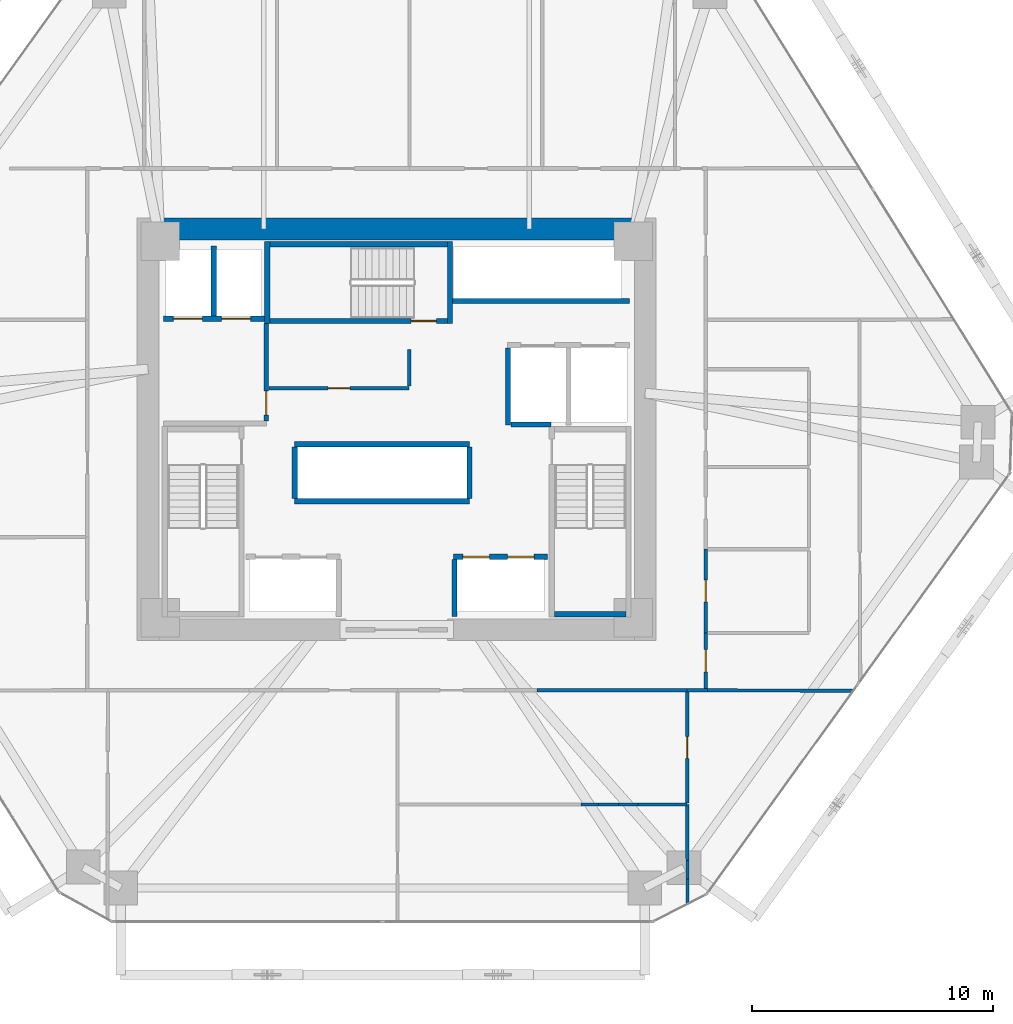
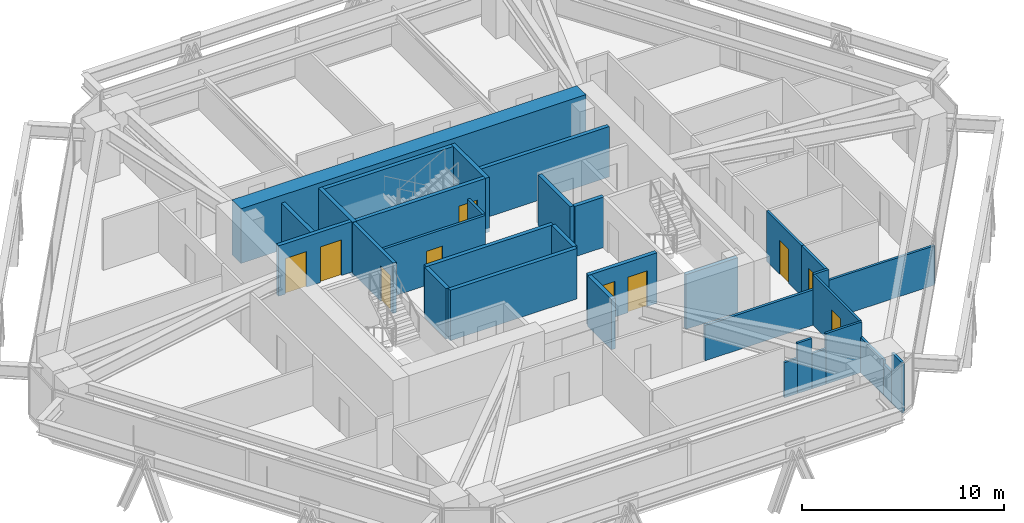
# One storey, part 14 of 17: 33 walls, 10 doors, 10 openings.
"""IFC4 building model written with IfcOpenShell, lengths in metres."""

from ifc_helpers import new_model, si_unit, direction, frame, frame_2d, origin, place, context, subcontext, project, spatial, rectangle, extrude, source, transform, mapped, material, layer, layer_set, type_object, type_shapes, element, fill, save


model = new_model("IFC4")

# Units and contexts
model_context = context("Model", 3, precision=1e-05, world=origin(), true_north=direction((0.0, 1.0)))
body_context = subcontext(model_context, "Body", "Model", "MODEL_VIEW")
ifc_project = project(units=[si_unit("LENGTHUNIT", "METRE"), si_unit("AREAUNIT", "SQUARE_METRE"), si_unit("VOLUMEUNIT", "CUBIC_METRE"), si_unit("PLANEANGLEUNIT", "RADIAN"), si_unit("MASSUNIT", "GRAM", prefix="KILO")], contexts=[model_context])

# Site, building, storey
site_placement = place(None, origin())
site = spatial("IfcSite", under=ifc_project, at=site_placement, CompositionType="ELEMENT")
building_placement = place(site_placement, origin())
building = spatial("IfcBuilding", under=site, at=building_placement, Name="Durnholm Broadcast Tower", CompositionType="ELEMENT")
storey_placement = place(building_placement, frame((0.0, 0.0, 72.0)))
storey = spatial("IfcBuildingStorey", under=building, at=storey_placement, Name="L18", CompositionType="ELEMENT", Elevation=72.0)

# Wall
ifc_material_1 = material(Name="Concrete C70/85", Category="concrete")
ifc_layer_1 = layer(ifc_material_1, 0.89990234375)
ifc_layer_set_1 = layer_set([ifc_layer_1], Name="Concrete C70/85")
wall_type_1 = type_object("IfcWallType", Name="WALL-CW-900", PredefinedType="SHEAR", material=ifc_layer_set_1)
wall_1_placement = place(storey_placement, frame((-9.85009765625, 8.300048828125, 0.0), z_axis=(0.0, 0.0, 1.0), x_axis=(1.0, 0.0, 0.0)))
element("IfcWall", 1, at=wall_1_placement, inside=storey, type_object=wall_type_1, Name="L18 central core shear wall CW-N", PredefinedType="SHEAR", context=body_context, shape_type="SweptSolid", body=[
    extrude(rectangle(XDim=19.7001953125, YDim=0.89990234375, at=frame_2d((9.85009765625, 0.0))), origin(), (0.0, 0.0, 1.0), 3.300048828125),
])

# Wall, opening, door
ifc_material_2 = material(Name="Fire-Rated Gypsum Shaftwall", Category="concrete")
ifc_layer_2 = layer(ifc_material_2, 0.199951171875)
ifc_layer_set_2 = layer_set([ifc_layer_2], Name="Fire-Rated Gypsum Shaftwall")
wall_type_2 = type_object("IfcWallType", Name="WALL-LOB-200", PredefinedType="SOLIDWALL", material=ifc_layer_set_2)
wall_2_placement = place(storey_placement, frame((-5.39990234375, 0.35400390625, 0.0), z_axis=(0.0, 0.0, 1.0), x_axis=(0.0, 1.0, 0.0)))
wall_2 = element("IfcWall", 2, at=wall_2_placement, inside=storey, type_object=wall_type_2, Name="L18 Fire Service Access Elevator lobby east fire wall", PredefinedType="SOLIDWALL", context=body_context, shape_type="SweptSolid", body=[
    extrude(rectangle(XDim=4.02587890625, YDim=0.199951171875, at=frame_2d((2.012939453125, 0.0))), origin(), (0.0, 0.0, 1.0), 3.044921875),
])
opening_1_placement = place(wall_2_placement, frame((0.24609375, 0.0, 0.0)))
opening_1 = element("IfcOpeningElement", 3, at=opening_1_placement, cuts=wall_2, Name="Opening DL-60L", PredefinedType="OPENING", context=body_context, shape_type="SweptSolid", body=[
    extrude(rectangle(XDim=1.0, YDim=2.14990234375, at=frame_2d((0.5, 1.074951171875))), frame((0.0, 0.10986328125, 0.0), z_axis=(0.0, -1.0, 0.0), x_axis=(1.0, 0.0, 0.0)), (0.0, 0.0, 1.0), 0.219970703125),
])
ifc_material_3 = material(Name="Fire-Rated Timber/Steel Door", Category="steel")
ifc_layer_3 = layer(ifc_material_3, 0.050048828125)
ifc_layer_set_3 = layer_set([ifc_layer_3], Name="Fire-Rated Timber/Steel Door")
door_type_1 = type_object("IfcDoorType", Name="DOOR-LOB-FD60-L", OperationType="NOTDEFINED", PredefinedType="DOOR", material=ifc_layer_set_3)
shared_shape_1 = source(origin(), body_context, "Body", "SweptSolid", [
    extrude(rectangle(XDim=1.0, YDim=2.14990234375, at=frame_2d((0.5, 1.074951171875))), frame((0.0, 0.02490234375, 0.0), z_axis=(0.0, -1.0, 0.0), x_axis=(1.0, 0.0, 0.0)), (0.0, 0.0, 1.0), 0.050048828125),
])
type_shapes(door_type_1, [shared_shape_1])
door_1_placement = place(opening_1_placement, origin())
door_1 = element("IfcDoor", 4, at=door_1_placement, inside=storey, type_object=door_type_1, Name="L18 Fire Service Access Elevator lobby smoke door", OperationType="SINGLE_SWING_LEFT", OverallHeight=2.14990234375, OverallWidth=1.0, PredefinedType="DOOR", context=body_context, shape_type="MappedRepresentation", body=[
    mapped(shared_shape_1, transform((0.0, 0.0, 0.0), x_axis=(1.0, 0.0, 0.0), y_axis=(0.0, 1.0, 0.0), z_axis=(0.0, 0.0, 1.0), scale=1.0)),
])
fill(opening_1, door_1)

# Walls
ifc_material_4 = material(Name="Gypsum Metal Stud Partition", Category="concrete")
ifc_layer_4 = layer(ifc_material_4, 0.135009765625)
ifc_layer_set_4 = layer_set([ifc_layer_4], Name="Gypsum Metal Stud Partition")
wall_type_3 = type_object("IfcWallType", Name="WALL-PART-135", PredefinedType="PARTITIONING", material=ifc_layer_set_4)
wall_3_placement = place(storey_placement, frame((8.35791015625, -15.544921875, 0.0), z_axis=(0.0, 0.0, 1.0), x_axis=(1.0, 0.0, 0.0)))
element("IfcWall", 5, at=wall_3_placement, inside=storey, type_object=wall_type_3, Name="L18 room dividing partition 13.14", PredefinedType="PARTITIONING", context=body_context, shape_type="SweptSolid", body=[
    extrude(rectangle(XDim=0.831787109375, YDim=0.135009765625, at=frame_2d((0.416015625, 0.0))), origin(), (0.0, 0.0, 1.0), 3.044921875),
])
wall_4_placement = place(storey_placement, frame((9.995361328125, -15.544921875, 0.0), z_axis=(0.0, 0.0, 1.0), x_axis=(1.0, 0.0, 0.0)))
element("IfcWall", 6, at=wall_4_placement, inside=storey, type_object=wall_type_3, Name="L18 room dividing partition 13.14", PredefinedType="PARTITIONING", context=body_context, shape_type="SweptSolid", body=[
    extrude(rectangle(XDim=2.044677734375, YDim=0.135009765625, at=frame_2d((1.0224609375, 0.0))), origin(), (0.0, 0.0, 1.0), 3.044921875),
])
wall_5_placement = place(storey_placement, frame((7.633544921875, -15.544921875, 0.0), z_axis=(0.0, 0.0, 1.0), x_axis=(1.0, 0.0, 0.0)))
element("IfcWall", 7, at=wall_5_placement, inside=storey, type_object=wall_type_3, Name="L18 room dividing partition 13.14", PredefinedType="PARTITIONING", context=body_context, shape_type="SweptSolid", body=[
    extrude(rectangle(XDim=0.724365234375, YDim=0.135009765625, at=frame_2d((0.3623046875, 0.0))), origin(), (0.0, 0.0, 1.0), 2.130126953125),
])
wall_6_placement = place(storey_placement, frame((9.189697265625, -15.544921875, 0.0), z_axis=(0.0, 0.0, 1.0), x_axis=(1.0, 0.0, 0.0)))
element("IfcWall", 8, at=wall_6_placement, inside=storey, type_object=wall_type_3, Name="L18 room dividing partition 13.14", PredefinedType="PARTITIONING", context=body_context, shape_type="SweptSolid", body=[
    extrude(rectangle(XDim=0.8056640625, YDim=0.135009765625, at=frame_2d((0.40283203125, 0.0))), origin(), (0.0, 0.0, 1.0), 2.130126953125),
])
wall_7_placement = place(storey_placement, frame((12.0400390625, -15.544921875, 0.0), z_axis=(0.0, 0.0, 1.0), x_axis=(0.004402473059, -0.999990309069, 0.0)))
element("IfcWall", 9, at=wall_7_placement, inside=storey, type_object=wall_type_3, Name="L18 room dividing partition 13.15", PredefinedType="PARTITIONING", context=body_context, shape_type="SweptSolid", body=[
    extrude(rectangle(XDim=2.3291015625, YDim=0.135009765625, at=frame_2d((1.16455078125, 0.0))), origin(), (0.0, 0.0, 1.0), 2.130126953125),
])
wall_8_placement = place(storey_placement, frame((12.0537109375, -18.634521484375, 0.0), z_axis=(0.0, 0.0, 1.0), x_axis=(0.004268398394, -0.999990890346, 0.0)))
element("IfcWall", 10, at=wall_8_placement, inside=storey, type_object=wall_type_3, Name="L18 room dividing partition 13.15", PredefinedType="PARTITIONING", context=body_context, shape_type="SweptSolid", body=[
    extrude(rectangle(XDim=1.029541015625, YDim=0.135009765625, at=frame_2d((0.5146484375, 0.0))), origin(), (0.0, 0.0, 1.0), 3.044921875),
])
wall_9_placement = place(storey_placement, frame((12.05029296875, -17.8740234375, 0.0), z_axis=(0.0, 0.0, 1.0), x_axis=(0.004494336631, -0.999989900418, 0.0)))
element("IfcWall", 11, at=wall_9_placement, inside=storey, type_object=wall_type_3, Name="L18 room dividing partition 13.15", PredefinedType="PARTITIONING", context=body_context, shape_type="SweptSolid", body=[
    extrude(rectangle(XDim=0.760498046875, YDim=0.135009765625, at=frame_2d((0.38037109375, 0.0))), origin(), (0.0, 0.0, 1.0), 1.877197265625),
])

# Wall, opening, door
wall_10_placement = place(storey_placement, frame((12.0400390625, -10.888916015625, 0.0), z_axis=(0.0, 0.0, 1.0), x_axis=(0.0, -1.0, 0.0)))
wall_10 = element("IfcWall", 12, at=wall_10_placement, inside=storey, type_object=wall_type_3, Name="L18 room dividing partition 14.15", PredefinedType="PARTITIONING", context=body_context, shape_type="SweptSolid", body=[
    extrude(rectangle(XDim=4.58447265625, YDim=0.135009765625, at=frame_2d((2.292236328125, 0.0))), origin(), (0.0, 0.0, 1.0), 3.044921875),
])
opening_2_placement = place(wall_10_placement, frame((1.84228515625, 0.0, 0.0)))
opening_2 = element("IfcOpeningElement", 13, at=opening_2_placement, cuts=wall_10, Name="Opening DW-90L", PredefinedType="OPENING", context=body_context, shape_type="SweptSolid", body=[
    extrude(rectangle(XDim=0.89990234375, YDim=2.050048828125, at=frame_2d((0.449951171875, 1.02490234375))), frame((0.0, 0.07763671875, 0.0), z_axis=(0.0, -1.0, 0.0), x_axis=(1.0, 0.0, 0.0)), (0.0, 0.0, 1.0), 0.155029296875),
])
ifc_material_5 = material(Name="Laminate Restroom Door", Category="steel")
ifc_layer_5 = layer(ifc_material_5, 0.050048828125)
ifc_layer_set_5 = layer_set([ifc_layer_5], Name="Laminate Restroom Door")
door_type_2 = type_object("IfcDoorType", Name="DOOR-WC-900L", OperationType="NOTDEFINED", PredefinedType="DOOR", material=ifc_layer_set_5)
shared_shape_2 = source(origin(), body_context, "Body", "SweptSolid", [
    extrude(rectangle(XDim=0.89990234375, YDim=2.050048828125, at=frame_2d((0.449951171875, 1.02490234375))), frame((0.0, 0.02490234375, 0.0), z_axis=(0.0, -1.0, 0.0), x_axis=(1.0, 0.0, 0.0)), (0.0, 0.0, 1.0), 0.050048828125),
])
type_shapes(door_type_2, [shared_shape_2])
door_2_placement = place(opening_2_placement, origin())
door_2 = element("IfcDoor", 14, at=door_2_placement, inside=storey, type_object=door_type_2, Name="L18 Documentary Office 2 connecting door", OperationType="SINGLE_SWING_LEFT", OverallHeight=2.050048828125, OverallWidth=0.89990234375, PredefinedType="DOOR", context=body_context, shape_type="MappedRepresentation", body=[
    mapped(shared_shape_2, transform((0.0, 0.0, 0.0), x_axis=(1.0, 0.0, 0.0), y_axis=(0.0, 1.0, 0.0), z_axis=(0.0, 0.0, 1.0), scale=1.0)),
])
fill(opening_2, door_2)

# Wall
wall_11_placement = place(storey_placement, frame((12.889892578125, -10.810302734375, 0.0), z_axis=(0.0, 0.0, 1.0), x_axis=(0.999992607823, -0.003845035728, 0.0)))
element("IfcWall", 15, at=wall_11_placement, inside=storey, type_object=wall_type_3, Name="L18 room dividing partition 15.19", PredefinedType="PARTITIONING", context=body_context, shape_type="SweptSolid", body=[
    extrude(rectangle(XDim=6.031982421875, YDim=0.135009765625, at=frame_2d((3.01611328125, 0.0))), origin(), (0.0, 0.0, 1.0), 2.3798828125),
])

# Wall, opening, door
ifc_material_6 = material(Name="Acoustic Gypsum Stud Partition", Category="concrete")
ifc_layer_6 = layer(ifc_material_6, 0.14990234375)
ifc_layer_set_6 = layer_set([ifc_layer_6], Name="Acoustic Gypsum Stud Partition")
wall_type_4 = type_object("IfcWallType", Name="WALL-PART-150", PredefinedType="PARTITIONING", material=ifc_layer_set_6)
wall_12_placement = place(storey_placement, frame((0.52001953125, 1.7099609375, 0.0), z_axis=(0.0, 0.0, 1.0), x_axis=(-1.0, 0.0, 0.0)))
wall_12 = element("IfcWall", 16, at=wall_12_placement, inside=storey, type_object=wall_type_4, Name="L18 Core Housekeeping Room corridor partition", PredefinedType="PARTITIONING", context=body_context, shape_type="SweptSolid", body=[
    extrude(rectangle(XDim=5.81591796875, YDim=0.14990234375, at=frame_2d((2.907958984375, 0.0))), origin(), (0.0, 0.0, 1.0), 3.044921875),
])
opening_3_placement = place(wall_12_placement, frame((2.4580078125, 0.0, 0.0)))
opening_3 = element("IfcOpeningElement", 17, at=opening_3_placement, cuts=wall_12, Name="Opening DC-60R", PredefinedType="OPENING", context=body_context, shape_type="SweptSolid", body=[
    extrude(rectangle(XDim=0.89990234375, YDim=2.050048828125, at=frame_2d((0.449951171875, 1.02490234375))), frame((0.0, 0.0849609375, 0.0), z_axis=(0.0, -1.0, 0.0), x_axis=(1.0, 0.0, 0.0)), (0.0, 0.0, 1.0), 0.169921875),
])
ifc_material_7 = material(Name="Fire-Rated Core Service Door", Category="steel")
ifc_layer_7 = layer(ifc_material_7, 0.050048828125)
ifc_layer_set_7 = layer_set([ifc_layer_7], Name="Fire-Rated Core Service Door")
door_type_3 = type_object("IfcDoorType", Name="DOOR-CORE-FD60-R", OperationType="NOTDEFINED", PredefinedType="DOOR", material=ifc_layer_set_7)
shared_shape_3 = source(origin(), body_context, "Body", "SweptSolid", [
    extrude(rectangle(XDim=0.89990234375, YDim=2.050048828125, at=frame_2d((0.449951171875, 1.02490234375))), frame((0.0, 0.02490234375, 0.0), z_axis=(0.0, -1.0, 0.0), x_axis=(1.0, 0.0, 0.0)), (0.0, 0.0, 1.0), 0.050048828125),
])
type_shapes(door_type_3, [shared_shape_3])
door_3_placement = place(opening_3_placement, origin())
door_3 = element("IfcDoor", 18, at=door_3_placement, inside=storey, type_object=door_type_3, Name="L18 Core Housekeeping Room entrance door", OperationType="SINGLE_SWING_RIGHT", OverallHeight=2.050048828125, OverallWidth=0.89990234375, PredefinedType="DOOR", context=body_context, shape_type="MappedRepresentation", body=[
    mapped(shared_shape_3, transform((0.0, 0.0, 0.0), x_axis=(1.0, 0.0, 0.0), y_axis=(0.0, 1.0, 0.0), z_axis=(0.0, 0.0, 1.0), scale=1.0)),
])
fill(opening_3, door_3)

# Walls
wall_13_placement = place(storey_placement, frame((0.52001953125, 3.300048828125, 0.0), z_axis=(0.0, 0.0, 1.0), x_axis=(0.0, -1.0, 0.0)))
element("IfcWall", 19, at=wall_13_placement, inside=storey, type_object=wall_type_4, Name="L18 Core Housekeeping Room corridor partition", PredefinedType="PARTITIONING", context=body_context, shape_type="SweptSolid", body=[
    extrude(rectangle(XDim=1.510986328125, YDim=0.14990234375, at=frame_2d((0.75537109375, 0.0))), origin(), (0.0, 0.0, 1.0), 3.044921875),
])
wall_14_placement = place(storey_placement, frame((5.8173828125, -10.81005859375, 0.0), z_axis=(0.0, 0.0, 1.0), x_axis=(1.0, 0.0, 0.0)))
element("IfcWall", 20, at=wall_14_placement, inside=storey, type_object=wall_type_4, Name="L18 Documentary Office 1 corridor partition", PredefinedType="PARTITIONING", context=body_context, shape_type="SweptSolid", body=[
    extrude(rectangle(XDim=6.22265625, YDim=0.14990234375, at=frame_2d((3.111328125, 0.0))), origin(), (0.0, 0.0, 1.0), 2.130126953125),
])
wall_15_placement = place(storey_placement, frame((12.0400390625, -10.81005859375, 0.0), z_axis=(0.0, 0.0, 1.0), x_axis=(1.0, 0.0, 0.0)))
element("IfcWall", 21, at=wall_15_placement, inside=storey, type_object=wall_type_4, Name="L18 Documentary Office 2 corridor partition", PredefinedType="PARTITIONING", context=body_context, shape_type="SweptSolid", body=[
    extrude(rectangle(XDim=0.849853515625, YDim=0.14990234375, at=frame_2d((0.4248046875, 0.0))), origin(), (0.0, 0.0, 1.0), 3.044921875),
])

# Wall, opening, door
wall_16_placement = place(storey_placement, frame((12.81005859375, -10.73095703125, 0.0), z_axis=(0.0, 0.0, 1.0), x_axis=(0.0, 1.0, 0.0)))
wall_16 = element("IfcWall", 22, at=wall_16_placement, inside=storey, type_object=wall_type_4, Name="L18 Media Review Meeting Room corridor partition", PredefinedType="PARTITIONING", context=body_context, shape_type="SweptSolid", body=[
    extrude(rectangle(XDim=2.291015625, YDim=0.14990234375, at=frame_2d((1.1455078125, 0.0))), origin(), (0.0, 0.0, 1.0), 3.044921875),
])
opening_4_placement = place(wall_16_placement, frame((0.685546875, 0.0, 0.0)))
opening_4 = element("IfcOpeningElement", 23, at=opening_4_placement, cuts=wall_16, Name="Opening DR-92L", PredefinedType="OPENING", context=body_context, shape_type="SweptSolid", body=[
    extrude(rectangle(XDim=0.919921875, YDim=2.10009765625, at=frame_2d((0.4599609375, 1.050048828125))), frame((0.0, 0.0849609375, 0.0), z_axis=(0.0, -1.0, 0.0), x_axis=(1.0, 0.0, 0.0)), (0.0, 0.0, 1.0), 0.169921875),
])
ifc_material_8 = material(Name="Oak Veneer Office Door", Category="wood")
ifc_layer_8 = layer(ifc_material_8, 0.050048828125)
ifc_layer_set_8 = layer_set([ifc_layer_8], Name="Oak Veneer Office Door")
door_type_4 = type_object("IfcDoorType", Name="DOOR-RM-920L", OperationType="NOTDEFINED", PredefinedType="DOOR", material=ifc_layer_set_8)
shared_shape_4 = source(origin(), body_context, "Body", "SweptSolid", [
    extrude(rectangle(XDim=0.919921875, YDim=2.10009765625, at=frame_2d((0.4599609375, 1.050048828125))), frame((0.0, 0.02490234375, 0.0), z_axis=(0.0, -1.0, 0.0), x_axis=(1.0, 0.0, 0.0)), (0.0, 0.0, 1.0), 0.050048828125),
])
type_shapes(door_type_4, [shared_shape_4])
door_4_placement = place(opening_4_placement, origin())
door_4 = element("IfcDoor", 24, at=door_4_placement, inside=storey, type_object=door_type_4, Name="L18 Media Review Meeting Room entrance door", OperationType="SINGLE_SWING_LEFT", OverallHeight=2.10009765625, OverallWidth=0.919921875, PredefinedType="DOOR", context=body_context, shape_type="MappedRepresentation", body=[
    mapped(shared_shape_4, transform((0.0, 0.0, 0.0), x_axis=(1.0, 0.0, 0.0), y_axis=(0.0, 1.0, 0.0), z_axis=(0.0, 0.0, 1.0), scale=1.0)),
])
fill(opening_4, door_4)

# Wall, openings, doors
ifc_material_9 = material(Name="Concrete Blockwork C30/37", Category="masonry")
ifc_layer_9 = layer(ifc_material_9, 0.219970703125)
ifc_layer_set_9 = layer_set([ifc_layer_9], Name="Concrete Blockwork C30/37")
wall_type_5 = type_object("IfcWallType", Name="WALL-SHAFT-220", PredefinedType="SOLIDWALL", material=ifc_layer_set_9)
wall_17_placement = place(storey_placement, frame((-9.64990234375, 4.580078125, 0.0), z_axis=(0.0, 0.0, 1.0), x_axis=(1.0, 0.0, 0.0)))
wall_17 = element("IfcWall", 25, at=wall_17_placement, inside=storey, type_object=wall_type_5, Name="L18 FSAE hoistway front fire wall", PredefinedType="SOLIDWALL", context=body_context, shape_type="SweptSolid", body=[
    extrude(rectangle(XDim=4.1748046875, YDim=0.219970703125, at=frame_2d((2.08740234375, 0.0))), origin(), (0.0, 0.0, 1.0), 3.044921875),
])
opening_5_placement = place(wall_17_placement, frame((0.39990234375, 0.0, 0.0)))
opening_5 = element("IfcOpeningElement", 26, at=opening_5_placement, cuts=wall_17, Name="Opening LD-FSAE-2", PredefinedType="OPENING", context=body_context, shape_type="SweptSolid", body=[
    extrude(rectangle(XDim=1.199951171875, YDim=2.14990234375, at=frame_2d((0.60009765625, 1.074951171875))), frame((0.0, 0.1201171875, 0.0), z_axis=(0.0, -1.0, 0.0), x_axis=(1.0, 0.0, 0.0)), (0.0, 0.0, 1.0), 0.239990234375),
])
opening_6_placement = place(wall_17_placement, frame((2.39990234375, 0.0, 0.0)))
opening_6 = element("IfcOpeningElement", 27, at=opening_6_placement, cuts=wall_17, Name="Opening LD-FSAE-1", PredefinedType="OPENING", context=body_context, shape_type="SweptSolid", body=[
    extrude(rectangle(XDim=1.199951171875, YDim=2.14990234375, at=frame_2d((0.60009765625, 1.074951171875))), frame((0.0, 0.1201171875, 0.0), z_axis=(0.0, -1.0, 0.0), x_axis=(1.0, 0.0, 0.0)), (0.0, 0.0, 1.0), 0.239990234375),
])
ifc_material_10 = material(Name="Fire Service Access Sliding Landing Door", Category="steel")
ifc_layer_10 = layer(ifc_material_10, 0.050048828125)
ifc_layer_set_10 = layer_set([ifc_layer_10], Name="Fire Service Access Sliding Landing Door")
door_type_5 = type_object("IfcDoorType", Name="DOOR-LIFT-FSAE", OperationType="DOUBLE_DOOR_SLIDING", PredefinedType="DOOR", material=ifc_layer_set_10)
shared_shape_5 = source(origin(), body_context, "Body", "SweptSolid", [
    extrude(rectangle(XDim=1.199951171875, YDim=2.14990234375, at=frame_2d((0.60009765625, 1.074951171875))), frame((0.0, 0.02490234375, 0.0), z_axis=(0.0, -1.0, 0.0), x_axis=(1.0, 0.0, 0.0)), (0.0, 0.0, 1.0), 0.050048828125),
])
type_shapes(door_type_5, [shared_shape_5])
door_5_placement = place(opening_5_placement, origin())
door_5 = element("IfcDoor", 28, at=door_5_placement, inside=storey, type_object=door_type_5, Name="L18 Fire Service Access Elevator FSAE-2 sliding landing door", OperationType="DOUBLE_DOOR_SLIDING", OverallHeight=2.14990234375, OverallWidth=1.199951171875, PredefinedType="DOOR", context=body_context, shape_type="MappedRepresentation", body=[
    mapped(shared_shape_5, transform((0.0, 0.0, 0.0), x_axis=(1.0, 0.0, 0.0), y_axis=(0.0, 1.0, 0.0), z_axis=(0.0, 0.0, 1.0), scale=1.0)),
])
fill(opening_5, door_5)
door_6_placement = place(opening_6_placement, origin())
door_6 = element("IfcDoor", 29, at=door_6_placement, inside=storey, type_object=door_type_5, Name="L18 Fire Service Access Elevator FSAE-1 sliding landing door", OperationType="DOUBLE_DOOR_SLIDING", OverallHeight=2.14990234375, OverallWidth=1.199951171875, PredefinedType="DOOR", context=body_context, shape_type="MappedRepresentation", body=[
    mapped(shared_shape_5, transform((0.0, 0.0, 0.0), x_axis=(1.0, 0.0, 0.0), y_axis=(0.0, 1.0, 0.0), z_axis=(0.0, 0.0, 1.0), scale=1.0)),
])
fill(opening_6, door_6)

# Walls
wall_18_placement = place(storey_placement, frame((-7.580078125, 4.694091796875, 0.0), z_axis=(0.0, 0.0, 1.0), x_axis=(0.0, 1.0, 0.0)))
element("IfcWall", 30, at=wall_18_placement, inside=storey, type_object=wall_type_5, Name="L18 FSAE shaft divider wall", PredefinedType="SOLIDWALL", context=body_context, shape_type="SweptSolid", body=[
    extrude(rectangle(XDim=2.906005859375, YDim=0.219970703125, at=frame_2d((1.453125, 0.0))), origin(), (0.0, 0.0, 1.0), 3.044921875),
])
wall_19_placement = place(storey_placement, frame((4.6201171875, 0.179931640625, 0.0), z_axis=(0.0, 0.0, 1.0), x_axis=(0.0, 1.0, 0.0)))
element("IfcWall", 31, at=wall_19_placement, inside=storey, type_object=wall_type_5, Name="L18 freight service lift SVL-2 west wall", PredefinedType="SOLIDWALL", context=body_context, shape_type="SweptSolid", body=[
    extrude(rectangle(XDim=3.18603515625, YDim=0.219970703125, at=frame_2d((1.593017578125, 0.0))), origin(), (0.0, 0.0, 1.0), 3.044921875),
])
wall_20_placement = place(storey_placement, frame((4.73388671875, 0.199951171875, 0.0), z_axis=(0.0, 0.0, 1.0), x_axis=(1.0, 0.0, 0.0)))
element("IfcWall", 32, at=wall_20_placement, inside=storey, type_object=wall_type_5, Name="L18 freight service lift SVL-2 south wall", PredefinedType="SOLIDWALL", context=body_context, shape_type="SweptSolid", body=[
    extrude(rectangle(XDim=1.666015625, YDim=0.219970703125, at=frame_2d((0.8330078125, 0.0))), origin(), (0.0, 0.0, 1.0), 3.044921875),
])

# Wall, openings, doors
wall_21_placement = place(storey_placement, frame((2.35009765625, -5.280029296875, 0.0), z_axis=(0.0, 0.0, 1.0), x_axis=(1.0, 0.0, 0.0)))
wall_21 = element("IfcWall", 33, at=wall_21_placement, inside=storey, type_object=wall_type_5, Name="L18 low-rise bank P1 east front wall", PredefinedType="SOLIDWALL", context=body_context, shape_type="SweptSolid", body=[
    extrude(rectangle(XDim=3.89990234375, YDim=0.219970703125, at=frame_2d((1.949951171875, 0.0))), origin(), (0.0, 0.0, 1.0), 3.044921875),
])
opening_7_placement = place(wall_21_placement, frame((0.39990234375, 0.0, 0.0)))
opening_7 = element("IfcOpeningElement", 34, at=opening_7_placement, cuts=wall_21, Name="Opening LD-LP1-3", PredefinedType="OPENING", context=body_context, shape_type="SweptSolid", body=[
    extrude(rectangle(XDim=1.10009765625, YDim=2.14990234375, at=frame_2d((0.550048828125, 1.074951171875))), frame((0.0, 0.1201171875, 0.0), z_axis=(0.0, -1.0, 0.0), x_axis=(1.0, 0.0, 0.0)), (0.0, 0.0, 1.0), 0.239990234375),
])
opening_8_placement = place(wall_21_placement, frame((2.25, 0.0, 0.0)))
opening_8 = element("IfcOpeningElement", 35, at=opening_8_placement, cuts=wall_21, Name="Opening LD-LP1-4", PredefinedType="OPENING", context=body_context, shape_type="SweptSolid", body=[
    extrude(rectangle(XDim=1.10009765625, YDim=2.14990234375, at=frame_2d((0.550048828125, 1.074951171875))), frame((0.0, 0.1201171875, 0.0), z_axis=(0.0, -1.0, 0.0), x_axis=(1.0, 0.0, 0.0)), (0.0, 0.0, 1.0), 0.239990234375),
])
ifc_material_11 = material(Name="Stainless Steel Sliding Elevator Landing Door", Category="steel")
ifc_layer_11 = layer(ifc_material_11, 0.050048828125)
ifc_layer_set_11 = layer_set([ifc_layer_11], Name="Stainless Steel Sliding Elevator Landing Door")
door_type_6 = type_object("IfcDoorType", Name="DOOR-LIFT-PAX", OperationType="DOUBLE_DOOR_SLIDING", PredefinedType="DOOR", material=ifc_layer_set_11)
shared_shape_6 = source(origin(), body_context, "Body", "SweptSolid", [
    extrude(rectangle(XDim=1.10009765625, YDim=2.14990234375, at=frame_2d((0.550048828125, 1.074951171875))), frame((0.0, 0.02490234375, 0.0), z_axis=(0.0, -1.0, 0.0), x_axis=(1.0, 0.0, 0.0)), (0.0, 0.0, 1.0), 0.050048828125),
])
type_shapes(door_type_6, [shared_shape_6])
door_7_placement = place(opening_7_placement, origin())
door_7 = element("IfcDoor", 36, at=door_7_placement, inside=storey, type_object=door_type_6, Name="L18 passenger elevator LP1-3 sliding landing door", OperationType="DOUBLE_DOOR_SLIDING", OverallHeight=2.14990234375, OverallWidth=1.10009765625, PredefinedType="DOOR", context=body_context, shape_type="MappedRepresentation", body=[
    mapped(shared_shape_6, transform((0.0, 0.0, 0.0), x_axis=(1.0, 0.0, 0.0), y_axis=(0.0, 1.0, 0.0), z_axis=(0.0, 0.0, 1.0), scale=1.0)),
])
fill(opening_7, door_7)
door_8_placement = place(opening_8_placement, origin())
door_8 = element("IfcDoor", 37, at=door_8_placement, inside=storey, type_object=door_type_6, Name="L18 passenger elevator LP1-4 sliding landing door", OperationType="DOUBLE_DOOR_SLIDING", OverallHeight=2.14990234375, OverallWidth=1.10009765625, PredefinedType="DOOR", context=body_context, shape_type="MappedRepresentation", body=[
    mapped(shared_shape_6, transform((0.0, 0.0, 0.0), x_axis=(1.0, 0.0, 0.0), y_axis=(0.0, 1.0, 0.0), z_axis=(0.0, 0.0, 1.0), scale=1.0)),
])
fill(opening_8, door_8)

# Walls
wall_22_placement = place(storey_placement, frame((2.39990234375, -7.75, 0.0), z_axis=(0.0, 0.0, 1.0), x_axis=(0.0, 1.0, 0.0)))
element("IfcWall", 38, at=wall_22_placement, inside=storey, type_object=wall_type_5, Name="L18 low-rise bank P1 east mouth wall", PredefinedType="SOLIDWALL", context=body_context, shape_type="SweptSolid", body=[
    extrude(rectangle(XDim=2.35595703125, YDim=0.219970703125, at=frame_2d((1.177978515625, 0.0))), origin(), (0.0, 0.0, 1.0), 3.044921875),
])
for number, where, z_axis, x_axis, name in (
    (39, (-4.219970703125, -2.97998046875, 0.0), (0.0, 0.0, 1.0), (1.0, 0.0, 0.0), "L18 mid-rise bank P2 south front wall"),
    (40, (-4.219970703125, -0.6201171875, 0.0), (0.0, 0.0, 1.0), (1.0, 0.0, 0.0), "L18 mid-rise bank P2 north shaft wall"),
):
    element("IfcWall", number, at=place(storey_placement, frame(where, z_axis=z_axis, x_axis=x_axis)), inside=storey, type_object=wall_type_5, Name=name, PredefinedType="SOLIDWALL", context=body_context, shape_type="SweptSolid", body=[
        extrude(rectangle(XDim=7.239990234375, YDim=0.219970703125, at=frame_2d((3.6201171875, 0.0))), origin(), (0.0, 0.0, 1.0), 3.044921875),
    ])
for number, where, z_axis, x_axis, name in (
    (41, (-4.219970703125, -2.865966796875, 0.0), (0.0, 0.0, 1.0), (0.0, 1.0, 0.0), "L18 mid-rise bank P2 west shaft wall"),
    (42, (3.02001953125, -2.865966796875, 0.0), (0.0, 0.0, 1.0), (0.0, 1.0, 0.0), "L18 mid-rise bank P2 east shaft wall"),
):
    element("IfcWall", number, at=place(storey_placement, frame(where, z_axis=z_axis, x_axis=x_axis)), inside=storey, type_object=wall_type_5, Name=name, PredefinedType="SOLIDWALL", context=body_context, shape_type="SweptSolid", body=[
        extrude(rectangle(XDim=2.132080078125, YDim=0.219970703125, at=frame_2d((1.06591796875, 0.0))), origin(), (0.0, 0.0, 1.0), 3.044921875),
    ])
wall_23_placement = place(storey_placement, frame((2.324951171875, 5.320068359375, 0.0), z_axis=(0.0, 0.0, 1.0), x_axis=(1.0, 0.0, 0.0)))
element("IfcWall", 43, at=wall_23_placement, inside=storey, type_object=wall_type_5, Name="L18 high-rise bank P3 south front wall", PredefinedType="SOLIDWALL", context=body_context, shape_type="SweptSolid", body=[
    extrude(rectangle(XDim=7.324951171875, YDim=0.219970703125, at=frame_2d((3.66259765625, 0.0))), origin(), (0.0, 0.0, 1.0), 3.044921875),
])
ifc_material_12 = material(Name="Concrete C50/60", Category="concrete")
ifc_layer_12 = layer(ifc_material_12, 0.219970703125)
ifc_layer_set_12 = layer_set([ifc_layer_12], Name="Concrete C50/60")
wall_type_6 = type_object("IfcWallType", Name="WALL-SW-220", PredefinedType="SHEAR", material=ifc_layer_set_12)
wall_24_placement = place(storey_placement, frame((6.5400390625, -7.659912109375, -0.239990234375), z_axis=(0.0, 0.0, 1.0), x_axis=(1.0, 0.0, 0.0)))
element("IfcWall", 44, at=wall_24_placement, inside=storey, type_object=wall_type_6, Name="L18 stair ST-2 structural shaft wall S", PredefinedType="SHEAR", context=body_context, shape_type="SweptSolid", body=[
    extrude(rectangle(XDim=2.9599609375, YDim=0.219970703125, at=frame_2d((1.47998046875, 0.0))), origin(), (0.0, 0.0, 1.0), 3.300048828125),
])
for number, where, z_axis, x_axis, name in (
    (45, (2.2099609375, 4.3798828125, -0.239990234375), (0.0, 0.0, 1.0), (0.0, 1.0, 0.0), "L18 stair ST-3 structural shaft wall E"),
    (46, (-5.360107421875, 7.780029296875, -0.239990234375), (0.0, 0.0, 1.0), (0.0, -1.0, 0.0), "L18 stair ST-3 structural shaft wall W"),
):
    element("IfcWall", number, at=place(storey_placement, frame(where, z_axis=z_axis, x_axis=x_axis)), inside=storey, type_object=wall_type_6, Name=name, PredefinedType="SHEAR", context=body_context, shape_type="SweptSolid", body=[
        extrude(rectangle(XDim=3.400146484375, YDim=0.219970703125, at=frame_2d((1.7001953125, 0.0))), origin(), (0.0, 0.0, 1.0), 3.300048828125),
    ])

# Wall, opening, door
wall_25_placement = place(storey_placement, frame((-5.25, 4.489990234375, -0.239990234375), z_axis=(0.0, 0.0, 1.0), x_axis=(1.0, 0.0, 0.0)))
wall_25 = element("IfcWall", 47, at=wall_25_placement, inside=storey, type_object=wall_type_6, Name="L18 stair ST-3 structural shaft wall S", PredefinedType="SHEAR", context=body_context, shape_type="SweptSolid", body=[
    extrude(rectangle(XDim=7.35009765625, YDim=0.219970703125, at=frame_2d((3.675048828125, 0.0))), origin(), (0.0, 0.0, 1.0), 3.300048828125),
])
opening_9_placement = place(wall_25_placement, frame((5.85009765625, 0.0, 0.0)))
opening_9 = element("IfcOpeningElement", 48, at=opening_9_placement, cuts=wall_25, Name="Opening DS-90L", PredefinedType="OPENING", context=body_context, shape_type="SweptSolid", body=[
    extrude(rectangle(XDim=1.050048828125, YDim=2.14990234375, at=frame_2d((0.52490234375, 1.074951171875))), frame((0.0, 0.1201171875, 0.0), z_axis=(0.0, -1.0, 0.0), x_axis=(1.0, 0.0, 0.0)), (0.0, 0.0, 1.0), 0.239990234375),
])
ifc_material_13 = material(Name="Fire-Rated Steel Door", Category="steel")
ifc_layer_13 = layer(ifc_material_13, 0.050048828125)
ifc_layer_set_13 = layer_set([ifc_layer_13], Name="Fire-Rated Steel Door")
door_type_7 = type_object("IfcDoorType", Name="DOOR-ST-FD90-L", OperationType="NOTDEFINED", PredefinedType="DOOR", material=ifc_layer_set_13)
shared_shape_7 = source(origin(), body_context, "Body", "SweptSolid", [
    extrude(rectangle(XDim=1.050048828125, YDim=2.14990234375, at=frame_2d((0.52490234375, 1.074951171875))), frame((0.0, 0.02490234375, 0.0), z_axis=(0.0, -1.0, 0.0), x_axis=(1.0, 0.0, 0.0)), (0.0, 0.0, 1.0), 0.050048828125),
])
type_shapes(door_type_7, [shared_shape_7])
door_9_placement = place(opening_9_placement, origin())
door_9 = element("IfcDoor", 49, at=door_9_placement, inside=storey, type_object=door_type_7, Name="L18 exit stair ST-3 fire door", OperationType="SINGLE_SWING_LEFT", OverallHeight=2.14990234375, OverallWidth=1.050048828125, PredefinedType="DOOR", context=body_context, shape_type="MappedRepresentation", body=[
    mapped(shared_shape_7, transform((0.0, 0.0, 0.0), x_axis=(1.0, 0.0, 0.0), y_axis=(0.0, 1.0, 0.0), z_axis=(0.0, 0.0, 1.0), scale=1.0)),
])
fill(opening_9, door_9)

# Wall
wall_26_placement = place(storey_placement, frame((2.10009765625, 7.669921875, -0.239990234375), z_axis=(0.0, 0.0, 1.0), x_axis=(-1.0, 0.0, 0.0)))
element("IfcWall", 50, at=wall_26_placement, inside=storey, type_object=wall_type_6, Name="L18 stair ST-3 structural shaft wall N", PredefinedType="SHEAR", context=body_context, shape_type="SweptSolid", body=[
    extrude(rectangle(XDim=7.35009765625, YDim=0.219970703125, at=frame_2d((3.675048828125, 0.0))), origin(), (0.0, 0.0, 1.0), 3.300048828125),
])

# Wall, opening, door
ifc_material_14 = material(Name="Moisture-Resistant Tile Partition", Category="concrete")
ifc_layer_14 = layer(ifc_material_14, 0.139892578125)
ifc_layer_set_14 = layer_set([ifc_layer_14], Name="Moisture-Resistant Tile Partition")
wall_type_7 = type_object("IfcWallType", Name="WALL-WC-140", PredefinedType="PARTITIONING", material=ifc_layer_set_14)
wall_27_placement = place(storey_placement, frame((12.81005859375, -8.43994140625, 0.0), z_axis=(0.0, 0.0, 1.0), x_axis=(0.0, 1.0, 0.0)))
wall_27 = element("IfcWall", 51, at=wall_27_placement, inside=storey, type_object=wall_type_7, Name="L18 Men's Restroom corridor partition", PredefinedType="PARTITIONING", context=body_context, shape_type="SweptSolid", body=[
    extrude(rectangle(XDim=3.47998046875, YDim=0.139892578125, at=frame_2d((1.739990234375, 0.0))), origin(), (0.0, 0.0, 1.0), 3.044921875),
])
opening_10_placement = place(wall_27_placement, frame((1.2900390625, 0.0, 0.0)))
opening_10 = element("IfcOpeningElement", 52, at=opening_10_placement, cuts=wall_27, Name="Opening DW-90L", PredefinedType="OPENING", context=body_context, shape_type="SweptSolid", body=[
    extrude(rectangle(XDim=0.89990234375, YDim=2.050048828125, at=frame_2d((0.449951171875, 1.02490234375))), frame((0.0, 0.080078125, 0.0), z_axis=(0.0, -1.0, 0.0), x_axis=(1.0, 0.0, 0.0)), (0.0, 0.0, 1.0), 0.159912109375),
])
door_10_placement = place(opening_10_placement, origin())
door_10 = element("IfcDoor", 53, at=door_10_placement, inside=storey, type_object=door_type_2, Name="L18 Men's Restroom entrance door", OperationType="SINGLE_SWING_LEFT", OverallHeight=2.050048828125, OverallWidth=0.89990234375, PredefinedType="DOOR", context=body_context, shape_type="MappedRepresentation", body=[
    mapped(shared_shape_2, transform((0.0, 0.0, 0.0), x_axis=(1.0, 0.0, 0.0), y_axis=(0.0, 1.0, 0.0), z_axis=(0.0, 0.0, 1.0), scale=1.0)),
])
fill(opening_10, door_10)

save(model, "model.ifc")
